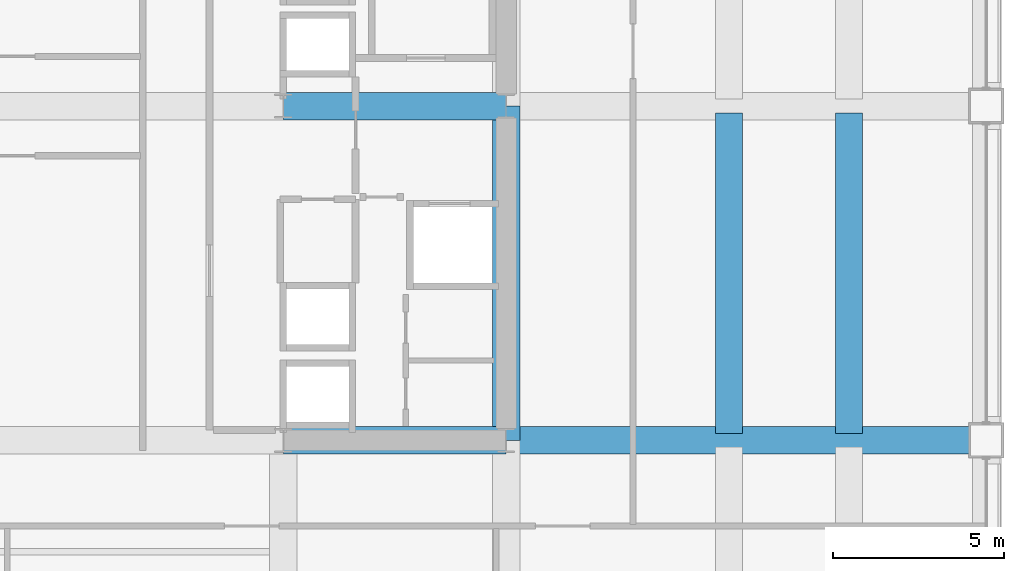
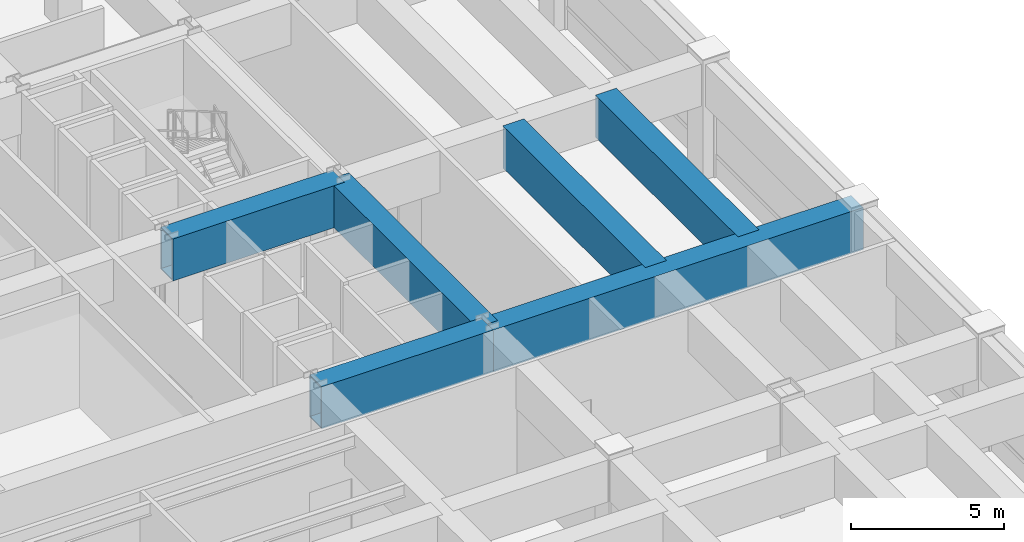
# One storey, part 12 of 30: 6 beams.
"""IFC4 building model written with IfcOpenShell, lengths in metres."""

from ifc_helpers import new_model, si_unit, direction, frame, origin, origin_2d, place, context, subcontext, project, spatial, hollow_rectangle, extrude, material, material_profile, profile_set, type_object, element, save


model = new_model("IFC4")

# Units and contexts
model_context = context("Model", 3, precision=1e-05, world=origin(), true_north=direction((0.0, 1.0)))
body_context = subcontext(model_context, "Body", "Model", "MODEL_VIEW")
ifc_project = project(units=[si_unit("LENGTHUNIT", "METRE"), si_unit("AREAUNIT", "SQUARE_METRE"), si_unit("VOLUMEUNIT", "CUBIC_METRE"), si_unit("PLANEANGLEUNIT", "RADIAN"), si_unit("MASSUNIT", "GRAM", prefix="KILO")], contexts=[model_context])

# Site, building, storey
site_placement = place(None, origin())
site = spatial("IfcSite", under=ifc_project, at=site_placement, CompositionType="ELEMENT")
building_placement = place(site_placement, origin())
building = spatial("IfcBuilding", under=site, at=building_placement, Name="Brelmoor Portico Tower", CompositionType="ELEMENT")
storey_placement = place(building_placement, frame((0.0, 0.0, 19.199951171875)))
storey = spatial("IfcBuildingStorey", under=building, at=storey_placement, Name="L04", CompositionType="ELEMENT", Elevation=19.199951171875)

# Beams
ifc_material = material(Name="Steel Q355B", Category="steel")
ifc_material_profile = material_profile(ifc_material, hollow_rectangle(XDim=0.800048828125, YDim=1.679931640625, WallThickness=0.044921875, at=origin_2d()), Name="BOX 800x1680x45")
ifc_profile_set = profile_set([ifc_material_profile], Name="Steel Q355B")
beam_type = type_object("IfcBeamType", Name="BM-TG-Z1", PredefinedType="BEAM", material=ifc_profile_set)
beam_1_placement = place(storey_placement, frame((14.550048828125, -9.75, 3.760009765625), z_axis=(0.0, 1.0, 0.0), x_axis=(-1.0, 0.0, 0.0)))
element("IfcBeam", 1, at=beam_1_placement, inside=storey, type_object=beam_type, Name="L04 Setback Transfer Girder PG-15", PredefinedType="BEAM", context=body_context, shape_type="SweptSolid", body=[
    extrude(hollow_rectangle(XDim=0.800048828125, YDim=1.679931640625, WallThickness=0.044921875, at=origin_2d()), origin(), (0.0, 0.0, 1.0), 9.75),
])
beam_2_placement = place(storey_placement, frame((8.050048828125, -9.75, 3.760009765625), z_axis=(1.0, 0.0, 0.0), x_axis=(0.0, 1.0, 0.0)))
element("IfcBeam", 2, at=beam_2_placement, inside=storey, type_object=beam_type, Name="L04 Setback Transfer Girder PG-28", PredefinedType="BEAM", context=body_context, shape_type="SweptSolid", body=[
    extrude(hollow_rectangle(XDim=0.800048828125, YDim=1.679931640625, WallThickness=0.044921875, at=origin_2d()), origin(), (0.0, 0.0, 1.0), 6.5),
])
beam_3_placement = place(storey_placement, frame((14.550048828125, -9.75, 3.760009765625), z_axis=(1.0, 0.0, 0.0), x_axis=(0.0, 1.0, 0.0)))
element("IfcBeam", 3, at=beam_3_placement, inside=storey, type_object=beam_type, Name="L04 Setback Transfer Girder PG-29", PredefinedType="BEAM", context=body_context, shape_type="SweptSolid", body=[
    extrude(hollow_rectangle(XDim=0.800048828125, YDim=1.679931640625, WallThickness=0.044921875, at=origin_2d()), origin(), (0.0, 0.0, 1.0), 14.0),
])
beam_4_placement = place(storey_placement, frame((8.050048828125, 0.0, 3.760009765625), z_axis=(1.0, 0.0, 0.0), x_axis=(0.0, 1.0, 0.0)))
element("IfcBeam", 4, at=beam_4_placement, inside=storey, type_object=beam_type, Name="L04 Setback Transfer Girder PG-33", PredefinedType="BEAM", context=body_context, shape_type="SweptSolid", body=[
    extrude(hollow_rectangle(XDim=0.800048828125, YDim=1.679931640625, WallThickness=0.044921875, at=origin_2d()), origin(), (0.0, 0.0, 1.0), 6.5),
])
for number, where, z_axis, x_axis, name in (
    (5, (21.050048828125, -9.550048828125, 3.760009765625), (0.0, 1.0, 0.0), (-1.0, 0.0, 0.0), "L04 Setback Transfer Girder TGN-35"),
    (6, (24.550048828125, -9.550048828125, 3.760009765625), (0.0, 1.0, 0.0), (-1.0, 0.0, 0.0), "L04 Setback Transfer Girder TGN-50"),
):
    element("IfcBeam", number, at=place(storey_placement, frame(where, z_axis=z_axis, x_axis=x_axis)), inside=storey, type_object=beam_type, Name=name, PredefinedType="BEAM", context=body_context, shape_type="SweptSolid", body=[
        extrude(hollow_rectangle(XDim=0.800048828125, YDim=1.679931640625, WallThickness=0.044921875, at=origin_2d()), origin(), (0.0, 0.0, 1.0), 9.35009765625),
    ])

save(model, "model.ifc")
